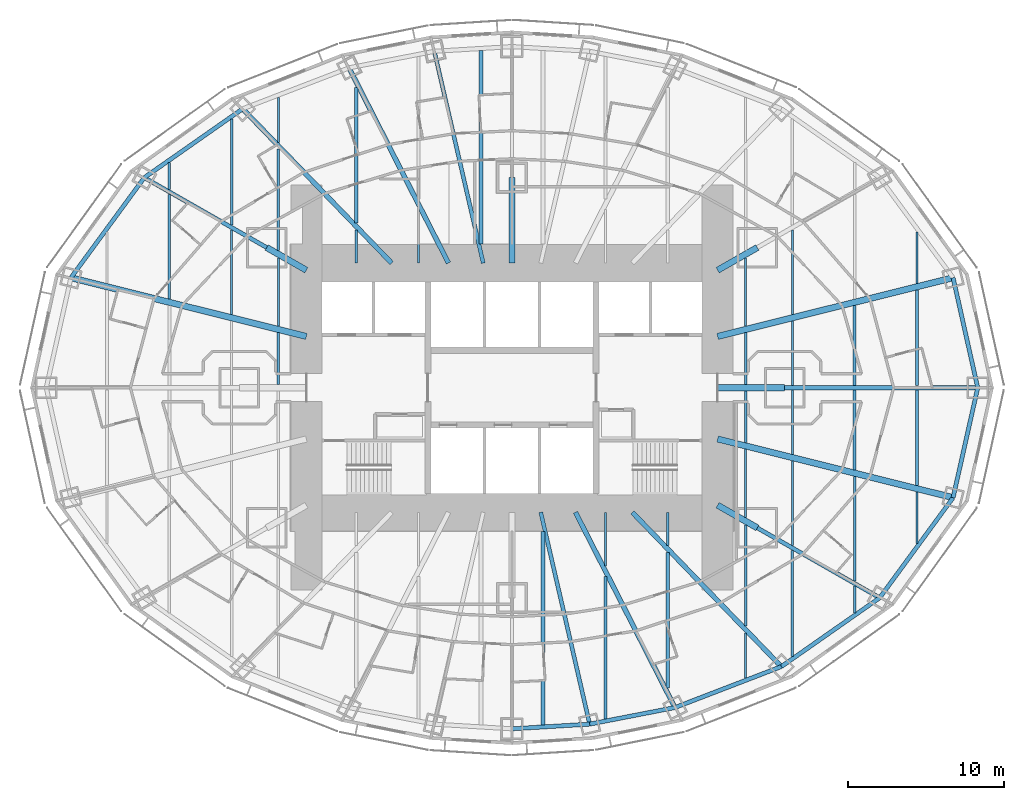
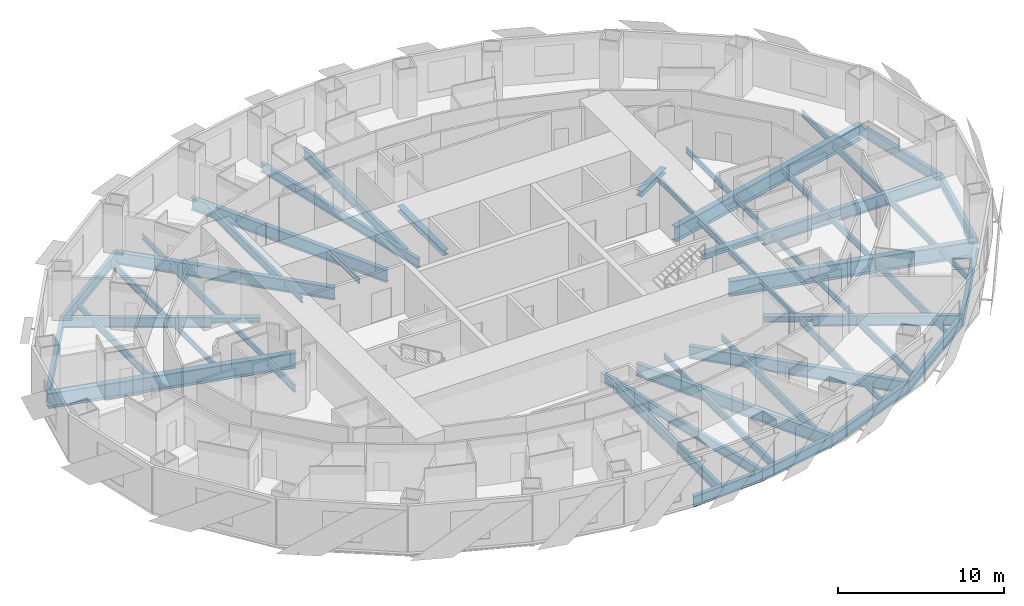
# One storey, part 2 of 15: 62 beams.
"""IFC4 building model written with IfcOpenShell, lengths in metres."""

from ifc_helpers import new_model, si_unit, direction, frame, origin, origin_2d, place, context, subcontext, project, spatial, i_section, extrude, material, material_profile, profile_set, type_object, element, save


model = new_model("IFC4")

# Units and contexts
model_context = context("Model", 3, precision=1e-05, world=origin(), true_north=direction((0.0, 1.0)))
body_context = subcontext(model_context, "Body", "Model", "MODEL_VIEW")
ifc_project = project(units=[si_unit("LENGTHUNIT", "METRE"), si_unit("AREAUNIT", "SQUARE_METRE"), si_unit("VOLUMEUNIT", "CUBIC_METRE"), si_unit("PLANEANGLEUNIT", "RADIAN"), si_unit("MASSUNIT", "GRAM", prefix="KILO")], contexts=[model_context])

# Site, building, storey
site_placement = place(None, origin())
site = spatial("IfcSite", under=ifc_project, at=site_placement, CompositionType="ELEMENT")
building_placement = place(site_placement, origin())
building = spatial("IfcBuilding", under=site, at=building_placement, Name="Lantaw Convention Tower", CompositionType="ELEMENT")
storey_placement = place(building_placement, frame((0.0, 0.0, 65.800048828125)))
storey = spatial("IfcBuildingStorey", under=building, at=storey_placement, Name="L14", CompositionType="ELEMENT", Elevation=65.800048828125)

# Beams
ifc_material = material(Name="Steel ASTM A992", Category="steel")
ifc_material_profile_1 = material_profile(ifc_material, i_section(OverallWidth=0.2666015625, OverallDepth=0.76953125, WebThickness=0.015625, FlangeThickness=0.025390625, FilletRadius=0.0126953125, at=origin_2d()), Name="W30X132")
ifc_profile_set_1 = profile_set([ifc_material_profile_1], Name="Steel ASTM A992")
beam_type_1 = type_object("IfcBeamType", Name="Beam E W30X132", PredefinedType="SPANDREL", material=ifc_profile_set_1)
beam_1_placement = place(storey_placement, frame((29.89990234375, 0.0, -0.534912109375), z_axis=(-0.218652184873, 0.975802860239, 0.0), x_axis=(-0.975802860239, -0.218652184873, 0.0)))
element("IfcBeam", 1, at=beam_1_placement, inside=storey, type_object=beam_type_1, Name="Edge beam 1", PredefinedType="SPANDREL", context=body_context, shape_type="SweptSolid", body=[
    extrude(i_section(OverallWidth=0.2666015625, OverallDepth=0.76953125, WebThickness=0.015625, FlangeThickness=0.025390625, FilletRadius=0.0126953125, at=origin_2d()), origin(), (0.0, 0.0, 1.0), 7.2353515625),
])
beam_2_placement = place(storey_placement, frame((-17.290771484375, 17.9052734375, -0.534912109375), z_axis=(-0.81942686407, -0.57318375277, 0.0), x_axis=(0.57318375277, -0.81942686407, 0.0)))
element("IfcBeam", 2, at=beam_2_placement, inside=storey, type_object=beam_type_1, Name="Edge beam 10", PredefinedType="SPANDREL", context=body_context, shape_type="SweptSolid", body=[
    extrude(i_section(OverallWidth=0.2666015625, OverallDepth=0.76953125, WebThickness=0.015625, FlangeThickness=0.025390625, FilletRadius=0.0126953125, at=origin_2d()), origin(), (0.0, 0.0, 1.0), 7.70556640625),
])
beam_3_placement = place(storey_placement, frame((-23.60498046875, 13.488525390625, -0.534912109375), z_axis=(-0.591270709086, -0.806473154281, 0.0), x_axis=(0.806473154281, -0.591270709086, 0.0)))
element("IfcBeam", 3, at=beam_3_placement, inside=storey, type_object=beam_type_1, Name="Edge beam 11", PredefinedType="SPANDREL", context=body_context, shape_type="SweptSolid", body=[
    extrude(i_section(OverallWidth=0.2666015625, OverallDepth=0.76953125, WebThickness=0.015625, FlangeThickness=0.025390625, FilletRadius=0.0126953125, at=origin_2d()), origin(), (0.0, 0.0, 1.0), 7.970703125),
])
beam_4_placement = place(storey_placement, frame((0.0, -21.89990234375, -0.534912109375), z_axis=(0.998173858406, 0.060406526096, 0.0), x_axis=(-0.060406526096, 0.998173858406, 0.0)))
element("IfcBeam", 4, at=beam_4_placement, inside=storey, type_object=beam_type_1, Name="Edge beam 19", PredefinedType="SPANDREL", context=body_context, shape_type="SweptSolid", body=[
    extrude(i_section(OverallWidth=0.2666015625, OverallDepth=0.76953125, WebThickness=0.015625, FlangeThickness=0.025390625, FilletRadius=0.0126953125, at=origin_2d()), origin(), (0.0, 0.0, 1.0), 4.995361328125),
])
beam_5_placement = place(storey_placement, frame((4.986328125, -21.59814453125, -0.534912109375), z_axis=(0.981636565323, 0.190760723474, 0.0), x_axis=(-0.190760723474, 0.981636565323, 0.0)))
element("IfcBeam", 5, at=beam_5_placement, inside=storey, type_object=beam_type_1, Name="Edge beam 20", PredefinedType="SPANDREL", context=body_context, shape_type="SweptSolid", body=[
    extrude(i_section(OverallWidth=0.2666015625, OverallDepth=0.76953125, WebThickness=0.015625, FlangeThickness=0.025390625, FilletRadius=0.0126953125, at=origin_2d()), origin(), (0.0, 0.0, 1.0), 5.578857421875),
])
beam_6_placement = place(storey_placement, frame((10.462646484375, -20.533935546875, -0.534912109375), z_axis=(0.933232900641, 0.359271976588, 0.0), x_axis=(-0.359271976588, 0.933232900641, 0.0)))
element("IfcBeam", 6, at=beam_6_placement, inside=storey, type_object=beam_type_1, Name="Edge beam 21", PredefinedType="SPANDREL", context=body_context, shape_type="SweptSolid", body=[
    extrude(i_section(OverallWidth=0.2666015625, OverallDepth=0.76953125, WebThickness=0.015625, FlangeThickness=0.025390625, FilletRadius=0.0126953125, at=origin_2d()), origin(), (0.0, 0.0, 1.0), 7.316650390625),
])
beam_7_placement = place(storey_placement, frame((17.290771484375, -17.9052734375, -0.534912109375), z_axis=(0.81942686407, 0.57318375277, 0.0), x_axis=(-0.57318375277, 0.81942686407, 0.0)))
element("IfcBeam", 7, at=beam_7_placement, inside=storey, type_object=beam_type_1, Name="Edge beam 22", PredefinedType="SPANDREL", context=body_context, shape_type="SweptSolid", body=[
    extrude(i_section(OverallWidth=0.2666015625, OverallDepth=0.76953125, WebThickness=0.015625, FlangeThickness=0.025390625, FilletRadius=0.0126953125, at=origin_2d()), origin(), (0.0, 0.0, 1.0), 7.70556640625),
])
beam_8_placement = place(storey_placement, frame((23.60498046875, -13.488525390625, -0.534912109375), z_axis=(0.591270709086, 0.806473154281, 0.0), x_axis=(-0.806473154281, 0.591270709086, 0.0)))
element("IfcBeam", 8, at=beam_8_placement, inside=storey, type_object=beam_type_1, Name="Edge beam 23", PredefinedType="SPANDREL", context=body_context, shape_type="SweptSolid", body=[
    extrude(i_section(OverallWidth=0.2666015625, OverallDepth=0.76953125, WebThickness=0.015625, FlangeThickness=0.025390625, FilletRadius=0.0126953125, at=origin_2d()), origin(), (0.0, 0.0, 1.0), 7.970703125),
])
beam_9_placement = place(storey_placement, frame((28.31787109375, -7.060302734375, -0.534912109375), z_axis=(0.218652184873, 0.975802860239, 0.0), x_axis=(-0.975802860239, 0.218652184873, 0.0)))
element("IfcBeam", 9, at=beam_9_placement, inside=storey, type_object=beam_type_1, Name="Edge beam 24", PredefinedType="SPANDREL", context=body_context, shape_type="SweptSolid", body=[
    extrude(i_section(OverallWidth=0.2666015625, OverallDepth=0.76953125, WebThickness=0.015625, FlangeThickness=0.025390625, FilletRadius=0.0126953125, at=origin_2d()), origin(), (0.0, 0.0, 1.0), 7.2353515625),
])
ifc_material_profile_2 = material_profile(ifc_material, i_section(OverallWidth=0.25390625, OverallDepth=0.683349609375, WebThickness=0.012451171875, FlangeThickness=0.01904296875, FilletRadius=0.01513671875, at=origin_2d()), Name="W27X94")
ifc_profile_set_2 = profile_set([ifc_material_profile_2], Name="Steel ASTM A992")
beam_type_2 = type_object("IfcBeamType", Name="Beam G W27X94", PredefinedType="BEAM", material=ifc_profile_set_2)
for number, where, z_axis, x_axis, name in (
    (10, (-1.846923828125, 8.0, -0.49169921875), (-0.224952773175, 0.97436966796, 0.0), (-0.97436966796, -0.224952773175, 0.0), "Floor girder on ray 8"),
    (11, (1.846923828125, -8.0, -0.49169921875), (0.224952773175, -0.97436966796, 0.0), (0.97436966796, 0.224952773175, 0.0), "Floor girder on ray 20"),
):
    element("IfcBeam", number, at=place(storey_placement, frame(where, z_axis=z_axis, x_axis=x_axis)), inside=storey, type_object=beam_type_2, Name=name, PredefinedType="BEAM", context=body_context, shape_type="SweptSolid", body=[
        extrude(i_section(OverallWidth=0.25390625, OverallDepth=0.683349609375, WebThickness=0.012451171875, FlangeThickness=0.01904296875, FilletRadius=0.01513671875, at=origin_2d()), origin(), (0.0, 0.0, 1.0), 13.955810546875),
    ])
ifc_material_profile_3 = material_profile(ifc_material, i_section(OverallWidth=0.2666015625, OverallDepth=0.7568359375, WebThickness=0.013916015625, FlangeThickness=0.019287109375, FilletRadius=0.0126953125, at=origin_2d()), Name="W30X108")
ifc_profile_set_3 = profile_set([ifc_material_profile_3], Name="Steel ASTM A992")
beam_type_3 = type_object("IfcBeamType", Name="Beam G W30X108", PredefinedType="BEAM", material=ifc_profile_set_3)
for number, where, z_axis, x_axis, name in (
    (12, (-15.75, 9.0, -0.528564453125), (-0.868244802791, 0.496136032179, 0.0), (-0.496136032179, -0.868244802791, 0.0), "Floor girder on ray 11"),
    (13, (15.75, -9.0, -0.528564453125), (0.868244802791, -0.496136032179, 0.0), (0.496136032179, 0.868244802791, 0.0), "Floor girder on ray 23"),
):
    element("IfcBeam", number, at=place(storey_placement, frame(where, z_axis=z_axis, x_axis=x_axis)), inside=storey, type_object=beam_type_3, Name=name, PredefinedType="BEAM", context=body_context, shape_type="SweptSolid", body=[
        extrude(i_section(OverallWidth=0.2666015625, OverallDepth=0.7568359375, WebThickness=0.013916015625, FlangeThickness=0.019287109375, FilletRadius=0.0126953125, at=origin_2d()), origin(), (0.0, 0.0, 1.0), 9.046875),
    ])
ifc_material_profile_4 = material_profile(ifc_material, i_section(OverallWidth=0.307373046875, OverallDepth=0.922119140625, WebThickness=0.018310546875, FlangeThickness=0.030029296875, FilletRadius=0.0126953125, at=origin_2d()), Name="W36X182")
ifc_profile_set_4 = profile_set([ifc_material_profile_4], Name="Steel ASTM A992")
beam_type_4 = type_object("IfcBeamType", Name="Beam G W36X182", PredefinedType="BEAM", material=ifc_profile_set_4)
beam_10_placement = place(storey_placement, frame((17.5, 0.0, -0.611083984375), z_axis=(1.0, 0.0, 0.0), x_axis=(0.0, 1.0, 0.0)))
element("IfcBeam", 14, at=beam_10_placement, inside=storey, type_object=beam_type_4, Name="Floor girder on ray 1", PredefinedType="BEAM", context=body_context, shape_type="SweptSolid", body=[
    extrude(i_section(OverallWidth=0.307373046875, OverallDepth=0.922119140625, WebThickness=0.018310546875, FlangeThickness=0.030029296875, FilletRadius=0.0126953125, at=origin_2d()), origin(), (0.0, 0.0, 1.0), 12.39990234375),
])
beam_11_placement = place(storey_placement, frame((-4.076171875, 8.0, -0.611083984375), z_axis=(-0.453997016122, 0.891003203896, 0.0), x_axis=(-0.891003203896, -0.453997016122, 0.0)))
element("IfcBeam", 15, at=beam_11_placement, inside=storey, type_object=beam_type_4, Name="Floor girder on ray 9", PredefinedType="BEAM", context=body_context, shape_type="SweptSolid", body=[
    extrude(i_section(OverallWidth=0.307373046875, OverallDepth=0.922119140625, WebThickness=0.018310546875, FlangeThickness=0.030029296875, FilletRadius=0.0126953125, at=origin_2d()), origin(), (0.0, 0.0, 1.0), 14.067138671875),
])
beam_12_placement = place(storey_placement, frame((-7.7255859375, 8.0, -0.611083984375), z_axis=(-0.694649884291, 0.719347995239, 0.0), x_axis=(-0.719347995239, -0.694649884291, 0.0)))
element("IfcBeam", 16, at=beam_12_placement, inside=storey, type_object=beam_type_4, Name="Floor girder on ray 10", PredefinedType="BEAM", context=body_context, shape_type="SweptSolid", body=[
    extrude(i_section(OverallWidth=0.307373046875, OverallDepth=0.922119140625, WebThickness=0.018310546875, FlangeThickness=0.030029296875, FilletRadius=0.0126953125, at=origin_2d()), origin(), (0.0, 0.0, 1.0), 13.769775390625),
])
beam_13_placement = place(storey_placement, frame((4.076171875, -8.0, -0.611083984375), z_axis=(0.453997016122, -0.891003203896, 0.0), x_axis=(0.891003203896, 0.453997016122, 0.0)))
element("IfcBeam", 17, at=beam_13_placement, inside=storey, type_object=beam_type_4, Name="Floor girder on ray 21", PredefinedType="BEAM", context=body_context, shape_type="SweptSolid", body=[
    extrude(i_section(OverallWidth=0.307373046875, OverallDepth=0.922119140625, WebThickness=0.018310546875, FlangeThickness=0.030029296875, FilletRadius=0.0126953125, at=origin_2d()), origin(), (0.0, 0.0, 1.0), 14.067138671875),
])
beam_14_placement = place(storey_placement, frame((7.7255859375, -8.0, -0.611083984375), z_axis=(0.694649884291, -0.719347995239, 0.0), x_axis=(0.719347995239, 0.694649884291, 0.0)))
element("IfcBeam", 18, at=beam_14_placement, inside=storey, type_object=beam_type_4, Name="Floor girder on ray 22", PredefinedType="BEAM", context=body_context, shape_type="SweptSolid", body=[
    extrude(i_section(OverallWidth=0.307373046875, OverallDepth=0.922119140625, WebThickness=0.018310546875, FlangeThickness=0.030029296875, FilletRadius=0.0126953125, at=origin_2d()), origin(), (0.0, 0.0, 1.0), 13.769775390625),
])
ifc_material_profile_5 = material_profile(ifc_material, i_section(OverallWidth=0.40380859375, OverallDepth=1.11767578125, WebThickness=0.026123046875, FlangeThickness=0.044921875, FilletRadius=0.02001953125, at=origin_2d()), Name="W44X335")
ifc_profile_set_5 = profile_set([ifc_material_profile_5], Name="Steel ASTM A992")
beam_type_5 = type_object("IfcBeamType", Name="Beam G W44X335", PredefinedType="BEAM", material=ifc_profile_set_5)
for number, where, z_axis, x_axis, name in (
    (19, (13.199951171875, 3.291015625, -0.708740234375), (0.970296233567, 0.241919860957, 0.0), (-0.241919860957, 0.970296233567, 0.0), "Floor girder on ray 2"),
    (20, (-13.199951171875, 3.291015625, -0.708740234375), (-0.970296233567, 0.241919860957, 0.0), (-0.241919860957, -0.970296233567, 0.0), "Floor girder on ray 12"),
    (21, (13.199951171875, -3.291015625, -0.708740234375), (0.970296233567, -0.241919860957, 0.0), (0.241919860957, 0.970296233567, 0.0), "Floor girder on ray 24"),
):
    element("IfcBeam", number, at=place(storey_placement, frame(where, z_axis=z_axis, x_axis=x_axis)), inside=storey, type_object=beam_type_5, Name=name, PredefinedType="BEAM", context=body_context, shape_type="SweptSolid", body=[
        extrude(i_section(OverallWidth=0.40380859375, OverallDepth=1.11767578125, WebThickness=0.026123046875, FlangeThickness=0.044921875, FilletRadius=0.02001953125, at=origin_2d()), origin(), (0.0, 0.0, 1.0), 15.580810546875),
    ])
ifc_material_profile_6 = material_profile(ifc_material, i_section(OverallWidth=0.40380859375, OverallDepth=0.406494140625, WebThickness=0.027099609375, FlangeThickness=0.043701171875, FilletRadius=0.01513671875, at=origin_2d()), Name="W14X233")
ifc_profile_set_6 = profile_set([ifc_material_profile_6], Name="Steel ASTM A992")
beam_type_6 = type_object("IfcBeamType", Name="Beam GM W14X233", PredefinedType="BEAM", material=ifc_profile_set_6)
beam_15_placement = place(storey_placement, frame((13.199951171875, 0.0, -0.353271484375), z_axis=(1.0, 0.0, 0.0), x_axis=(0.0, 1.0, 0.0)))
element("IfcBeam", 22, at=beam_15_placement, inside=storey, type_object=beam_type_6, Name="Core link beam on ray 1", PredefinedType="BEAM", context=body_context, shape_type="SweptSolid", body=[
    extrude(i_section(OverallWidth=0.40380859375, OverallDepth=0.406494140625, WebThickness=0.027099609375, FlangeThickness=0.043701171875, FilletRadius=0.01513671875, at=origin_2d()), origin(), (0.0, 0.0, 1.0), 4.300048828125),
])
beam_16_placement = place(storey_placement, frame((13.199951171875, 7.54296875, -0.353271484375), z_axis=(0.868263603466, 0.496103129295, 0.0), x_axis=(-0.496103129295, 0.868263603466, 0.0)))
element("IfcBeam", 23, at=beam_16_placement, inside=storey, type_object=beam_type_6, Name="Core link beam on ray 3", PredefinedType="BEAM", context=body_context, shape_type="SweptSolid", body=[
    extrude(i_section(OverallWidth=0.40380859375, OverallDepth=0.406494140625, WebThickness=0.027099609375, FlangeThickness=0.043701171875, FilletRadius=0.01513671875, at=origin_2d()), origin(), (0.0, 0.0, 1.0), 2.93701171875),
])
beam_17_placement = place(storey_placement, frame((0.0, 8.0, -0.353271484375), z_axis=(0.0, 1.0, 0.0), x_axis=(-1.0, 0.0, 0.0)))
element("IfcBeam", 24, at=beam_17_placement, inside=storey, type_object=beam_type_6, Name="Core link beam on ray 7", PredefinedType="BEAM", context=body_context, shape_type="SweptSolid", body=[
    extrude(i_section(OverallWidth=0.40380859375, OverallDepth=0.406494140625, WebThickness=0.027099609375, FlangeThickness=0.043701171875, FilletRadius=0.01513671875, at=origin_2d()), origin(), (0.0, 0.0, 1.0), 5.5),
])
for number, where, z_axis, x_axis, name in (
    (25, (-13.199951171875, 7.54296875, -0.353271484375), (-0.868263603466, 0.496103129295, 0.0), (-0.496103129295, -0.868263603466, 0.0), "Core link beam on ray 11"),
    (26, (13.199951171875, -7.54296875, -0.353271484375), (0.868263603466, -0.496103129295, 0.0), (0.496103129295, 0.868263603466, 0.0), "Core link beam on ray 23"),
):
    element("IfcBeam", number, at=place(storey_placement, frame(where, z_axis=z_axis, x_axis=x_axis)), inside=storey, type_object=beam_type_6, Name=name, PredefinedType="BEAM", context=body_context, shape_type="SweptSolid", body=[
        extrude(i_section(OverallWidth=0.40380859375, OverallDepth=0.406494140625, WebThickness=0.027099609375, FlangeThickness=0.043701171875, FilletRadius=0.01513671875, at=origin_2d()), origin(), (0.0, 0.0, 1.0), 2.93701171875),
    ])
ifc_material_profile_7 = material_profile(ifc_material, i_section(OverallWidth=0.140380859375, OverallDepth=0.40380859375, WebThickness=0.007080078125, FlangeThickness=0.01123046875, FilletRadius=0.01025390625, at=origin_2d()), Name="W16X31")
ifc_profile_set_7 = profile_set([ifc_material_profile_7], Name="Steel ASTM A992")
beam_type_7 = type_object("IfcBeamType", Name="Beam J W16X31", PredefinedType="JOIST", material=ifc_profile_set_7)
beam_18_placement = place(storey_placement, frame((-22.0, 12.72509765625, -0.35205078125), z_axis=(0.0, 1.0, 0.0), x_axis=(-1.0, 0.0, 0.0)))
element("IfcBeam", 27, at=beam_18_placement, inside=storey, type_object=beam_type_7, Name="Floor joist", PredefinedType="JOIST", context=body_context, shape_type="SweptSolid", body=[
    extrude(i_section(OverallWidth=0.140380859375, OverallDepth=0.40380859375, WebThickness=0.007080078125, FlangeThickness=0.01123046875, FilletRadius=0.01025390625, at=origin_2d()), origin(), (0.0, 0.0, 1.0), 1.723388671875),
])
beam_19_placement = place(storey_placement, frame((-18.0, 4.696044921875, -0.35205078125), z_axis=(0.0, 1.0, 0.0), x_axis=(-1.0, 0.0, 0.0)))
element("IfcBeam", 28, at=beam_19_placement, inside=storey, type_object=beam_type_7, Name="Floor joist", PredefinedType="JOIST", context=body_context, shape_type="SweptSolid", body=[
    extrude(i_section(OverallWidth=0.140380859375, OverallDepth=0.40380859375, WebThickness=0.007080078125, FlangeThickness=0.01123046875, FilletRadius=0.01025390625, at=origin_2d()), origin(), (0.0, 0.0, 1.0), 5.43603515625),
])
beam_20_placement = place(storey_placement, frame((-15.0, 3.947998046875, -0.35205078125), z_axis=(0.0, 1.0, 0.0), x_axis=(-1.0, 0.0, 0.0)))
element("IfcBeam", 29, at=beam_20_placement, inside=storey, type_object=beam_type_7, Name="Floor joist", PredefinedType="JOIST", context=body_context, shape_type="SweptSolid", body=[
    extrude(i_section(OverallWidth=0.140380859375, OverallDepth=0.40380859375, WebThickness=0.007080078125, FlangeThickness=0.01123046875, FilletRadius=0.01025390625, at=origin_2d()), origin(), (0.0, 0.0, 1.0), 4.390869140625),
])
beam_21_placement = place(storey_placement, frame((-15.0, 15.754150390625, -0.35205078125), z_axis=(0.0, 1.0, 0.0), x_axis=(-1.0, 0.0, 0.0)))
element("IfcBeam", 30, at=beam_21_placement, inside=storey, type_object=beam_type_7, Name="Floor joist", PredefinedType="JOIST", context=body_context, shape_type="SweptSolid", body=[
    extrude(i_section(OverallWidth=0.140380859375, OverallDepth=0.40380859375, WebThickness=0.007080078125, FlangeThickness=0.01123046875, FilletRadius=0.01025390625, at=origin_2d()), origin(), (0.0, 0.0, 1.0), 2.89013671875),
])
beam_22_placement = place(storey_placement, frame((-10.0, 8.0, -0.35205078125), z_axis=(0.0, 1.0, 0.0), x_axis=(-1.0, 0.0, 0.0)))
element("IfcBeam", 31, at=beam_22_placement, inside=storey, type_object=beam_type_7, Name="Floor joist", PredefinedType="JOIST", context=body_context, shape_type="SweptSolid", body=[
    extrude(i_section(OverallWidth=0.140380859375, OverallDepth=0.40380859375, WebThickness=0.007080078125, FlangeThickness=0.01123046875, FilletRadius=0.01025390625, at=origin_2d()), origin(), (0.0, 0.0, 1.0), 2.134033203125),
])
for number, where, z_axis, x_axis, name in (
    (32, (-6.0, 8.0, -0.35205078125), (0.0, 1.0, 0.0), (-1.0, 0.0, 0.0), "Floor joist"),
    (33, (6.0, -11.437255859375, -0.35205078125), (0.0, 1.0, 0.0), (-1.0, 0.0, 0.0), "Floor joist"),
):
    element("IfcBeam", number, at=place(storey_placement, frame(where, z_axis=z_axis, x_axis=x_axis)), inside=storey, type_object=beam_type_7, Name=name, PredefinedType="JOIST", context=body_context, shape_type="SweptSolid", body=[
        extrude(i_section(OverallWidth=0.140380859375, OverallDepth=0.40380859375, WebThickness=0.007080078125, FlangeThickness=0.01123046875, FilletRadius=0.01025390625, at=origin_2d()), origin(), (0.0, 0.0, 1.0), 3.437255859375),
    ])
beam_23_placement = place(storey_placement, frame((10.0, -10.134033203125, -0.35205078125), z_axis=(0.0, 1.0, 0.0), x_axis=(-1.0, 0.0, 0.0)))
element("IfcBeam", 34, at=beam_23_placement, inside=storey, type_object=beam_type_7, Name="Floor joist", PredefinedType="JOIST", context=body_context, shape_type="SweptSolid", body=[
    extrude(i_section(OverallWidth=0.140380859375, OverallDepth=0.40380859375, WebThickness=0.007080078125, FlangeThickness=0.01123046875, FilletRadius=0.01025390625, at=origin_2d()), origin(), (0.0, 0.0, 1.0), 2.134033203125),
])
beam_24_placement = place(storey_placement, frame((15.0, -18.644287109375, -0.35205078125), z_axis=(0.0, 1.0, 0.0), x_axis=(-1.0, 0.0, 0.0)))
element("IfcBeam", 35, at=beam_24_placement, inside=storey, type_object=beam_type_7, Name="Floor joist", PredefinedType="JOIST", context=body_context, shape_type="SweptSolid", body=[
    extrude(i_section(OverallWidth=0.140380859375, OverallDepth=0.40380859375, WebThickness=0.007080078125, FlangeThickness=0.01123046875, FilletRadius=0.01025390625, at=origin_2d()), origin(), (0.0, 0.0, 1.0), 2.89013671875),
])
for number, where, z_axis, x_axis, name in (
    (36, (15.0, -8.3388671875, -0.35205078125), (0.0, 1.0, 0.0), (-1.0, 0.0, 0.0), "Floor joist"),
    (37, (15.0, 3.947998046875, -0.35205078125), (0.0, 1.0, 0.0), (-1.0, 0.0, 0.0), "Floor joist"),
):
    element("IfcBeam", number, at=place(storey_placement, frame(where, z_axis=z_axis, x_axis=x_axis)), inside=storey, type_object=beam_type_7, Name=name, PredefinedType="JOIST", context=body_context, shape_type="SweptSolid", body=[
        extrude(i_section(OverallWidth=0.140380859375, OverallDepth=0.40380859375, WebThickness=0.007080078125, FlangeThickness=0.01123046875, FilletRadius=0.01025390625, at=origin_2d()), origin(), (0.0, 0.0, 1.0), 4.390869140625),
    ])
beam_25_placement = place(storey_placement, frame((18.0, -10.132080078125, -0.35205078125), z_axis=(0.0, 1.0, 0.0), x_axis=(-1.0, 0.0, 0.0)))
element("IfcBeam", 38, at=beam_25_placement, inside=storey, type_object=beam_type_7, Name="Floor joist", PredefinedType="JOIST", context=body_context, shape_type="SweptSolid", body=[
    extrude(i_section(OverallWidth=0.140380859375, OverallDepth=0.40380859375, WebThickness=0.007080078125, FlangeThickness=0.01123046875, FilletRadius=0.01025390625, at=origin_2d()), origin(), (0.0, 0.0, 1.0), 5.43603515625),
])
for number, where, z_axis, x_axis, name in (
    (39, (18.0, -4.27978515625, -0.35205078125), (0.0, 1.0, 0.0), (-1.0, 0.0, 0.0), "Floor joist"),
    (40, (18.0, 0.153564453125, -0.35205078125), (0.0, 1.0, 0.0), (-1.0, 0.0, 0.0), "Floor joist"),
):
    element("IfcBeam", number, at=place(storey_placement, frame(where, z_axis=z_axis, x_axis=x_axis)), inside=storey, type_object=beam_type_7, Name=name, PredefinedType="JOIST", context=body_context, shape_type="SweptSolid", body=[
        extrude(i_section(OverallWidth=0.140380859375, OverallDepth=0.40380859375, WebThickness=0.007080078125, FlangeThickness=0.01123046875, FilletRadius=0.01025390625, at=origin_2d()), origin(), (0.0, 0.0, 1.0), 4.126220703125),
    ])
beam_26_placement = place(storey_placement, frame((18.0, 4.696044921875, -0.35205078125), z_axis=(0.0, 1.0, 0.0), x_axis=(-1.0, 0.0, 0.0)))
element("IfcBeam", 41, at=beam_26_placement, inside=storey, type_object=beam_type_7, Name="Floor joist", PredefinedType="JOIST", context=body_context, shape_type="SweptSolid", body=[
    extrude(i_section(OverallWidth=0.140380859375, OverallDepth=0.40380859375, WebThickness=0.007080078125, FlangeThickness=0.01123046875, FilletRadius=0.01025390625, at=origin_2d()), origin(), (0.0, 0.0, 1.0), 5.43603515625),
])
beam_27_placement = place(storey_placement, frame((22.0, -14.448486328125, -0.35205078125), z_axis=(0.0, 1.0, 0.0), x_axis=(-1.0, 0.0, 0.0)))
element("IfcBeam", 42, at=beam_27_placement, inside=storey, type_object=beam_type_7, Name="Floor joist", PredefinedType="JOIST", context=body_context, shape_type="SweptSolid", body=[
    extrude(i_section(OverallWidth=0.140380859375, OverallDepth=0.40380859375, WebThickness=0.007080078125, FlangeThickness=0.01123046875, FilletRadius=0.01025390625, at=origin_2d()), origin(), (0.0, 0.0, 1.0), 1.723388671875),
])
for number, where, z_axis, x_axis, name in (
    (43, (26.0, -9.996337890625, -0.35205078125), (0.0, 1.0, 0.0), (-1.0, 0.0, 0.0), "Floor joist"),
    (44, (26.0, 6.690673828125, -0.35205078125), (0.0, 1.0, 0.0), (-1.0, 0.0, 0.0), "Floor joist"),
):
    element("IfcBeam", number, at=place(storey_placement, frame(where, z_axis=z_axis, x_axis=x_axis)), inside=storey, type_object=beam_type_7, Name=name, PredefinedType="JOIST", context=body_context, shape_type="SweptSolid", body=[
        extrude(i_section(OverallWidth=0.140380859375, OverallDepth=0.40380859375, WebThickness=0.007080078125, FlangeThickness=0.01123046875, FilletRadius=0.01025390625, at=origin_2d()), origin(), (0.0, 0.0, 1.0), 3.3056640625),
    ])
ifc_material_profile_8 = material_profile(ifc_material, i_section(OverallWidth=0.1904296875, OverallDepth=0.457275390625, WebThickness=0.009033203125, FlangeThickness=0.014404296875, FilletRadius=0.01025390625, at=origin_2d()), Name="W18X50")
ifc_profile_set_8 = profile_set([ifc_material_profile_8], Name="Steel ASTM A992")
beam_type_8 = type_object("IfcBeamType", Name="Beam J W18X50", PredefinedType="JOIST", material=ifc_profile_set_8)
for number, where, z_axis, x_axis, name in (
    (45, (22.0, -5.277099609375, -0.378662109375), (0.0, 1.0, 0.0), (-1.0, 0.0, 0.0), "Floor joist"),
    (46, (22.0, 0.153564453125, -0.378662109375), (0.0, 1.0, 0.0), (-1.0, 0.0, 0.0), "Floor joist"),
):
    element("IfcBeam", number, at=place(storey_placement, frame(where, z_axis=z_axis, x_axis=x_axis)), inside=storey, type_object=beam_type_8, Name=name, PredefinedType="JOIST", context=body_context, shape_type="SweptSolid", body=[
        extrude(i_section(OverallWidth=0.1904296875, OverallDepth=0.457275390625, WebThickness=0.009033203125, FlangeThickness=0.014404296875, FilletRadius=0.01025390625, at=origin_2d()), origin(), (0.0, 0.0, 1.0), 5.12353515625),
    ])
ifc_material_profile_9 = material_profile(ifc_material, i_section(OverallWidth=0.1650390625, OverallDepth=0.52587890625, WebThickness=0.0087890625, FlangeThickness=0.011474609375, FilletRadius=0.0126953125, at=origin_2d()), Name="W21X44")
ifc_profile_set_9 = profile_set([ifc_material_profile_9], Name="Steel ASTM A992")
beam_type_9 = type_object("IfcBeamType", Name="Beam J W21X44", PredefinedType="JOIST", material=ifc_profile_set_9)
beam_28_placement = place(storey_placement, frame((-22.0, 5.693359375, -0.412841796875), z_axis=(0.0, 1.0, 0.0), x_axis=(-1.0, 0.0, 0.0)))
element("IfcBeam", 47, at=beam_28_placement, inside=storey, type_object=beam_type_9, Name="Floor joist", PredefinedType="JOIST", context=body_context, shape_type="SweptSolid", body=[
    extrude(i_section(OverallWidth=0.1650390625, OverallDepth=0.52587890625, WebThickness=0.0087890625, FlangeThickness=0.011474609375, FilletRadius=0.0126953125, at=origin_2d()), origin(), (0.0, 0.0, 1.0), 6.724609375),
])
beam_29_placement = place(storey_placement, frame((-18.0, 10.439208984375, -0.412841796875), z_axis=(0.0, 1.0, 0.0), x_axis=(-1.0, 0.0, 0.0)))
element("IfcBeam", 48, at=beam_29_placement, inside=storey, type_object=beam_type_9, Name="Floor joist", PredefinedType="JOIST", context=body_context, shape_type="SweptSolid", body=[
    extrude(i_section(OverallWidth=0.1650390625, OverallDepth=0.52587890625, WebThickness=0.0087890625, FlangeThickness=0.011474609375, FilletRadius=0.0126953125, at=origin_2d()), origin(), (0.0, 0.0, 1.0), 6.80712890625),
])
for number, where, z_axis, x_axis, name in (
    (49, (-15.0, 8.803955078125, -0.412841796875), (0.0, 1.0, 0.0), (-1.0, 0.0, 0.0), "Floor joist"),
    (50, (15.0, -15.311767578125, -0.412841796875), (0.0, 1.0, 0.0), (-1.0, 0.0, 0.0), "Floor joist"),
):
    element("IfcBeam", number, at=place(storey_placement, frame(where, z_axis=z_axis, x_axis=x_axis)), inside=storey, type_object=beam_type_9, Name=name, PredefinedType="JOIST", context=body_context, shape_type="SweptSolid", body=[
        extrude(i_section(OverallWidth=0.1650390625, OverallDepth=0.52587890625, WebThickness=0.0087890625, FlangeThickness=0.011474609375, FilletRadius=0.0126953125, at=origin_2d()), origin(), (0.0, 0.0, 1.0), 6.5078125),
    ])
beam_30_placement = place(storey_placement, frame((18.0, -17.246337890625, -0.412841796875), z_axis=(0.0, 1.0, 0.0), x_axis=(-1.0, 0.0, 0.0)))
element("IfcBeam", 51, at=beam_30_placement, inside=storey, type_object=beam_type_9, Name="Floor joist", PredefinedType="JOIST", context=body_context, shape_type="SweptSolid", body=[
    extrude(i_section(OverallWidth=0.1650390625, OverallDepth=0.52587890625, WebThickness=0.0087890625, FlangeThickness=0.011474609375, FilletRadius=0.0126953125, at=origin_2d()), origin(), (0.0, 0.0, 1.0), 6.80712890625),
])
beam_31_placement = place(storey_placement, frame((22.0, -12.41796875, -0.412841796875), z_axis=(0.0, 1.0, 0.0), x_axis=(-1.0, 0.0, 0.0)))
element("IfcBeam", 52, at=beam_31_placement, inside=storey, type_object=beam_type_9, Name="Floor joist", PredefinedType="JOIST", context=body_context, shape_type="SweptSolid", body=[
    extrude(i_section(OverallWidth=0.1650390625, OverallDepth=0.52587890625, WebThickness=0.0087890625, FlangeThickness=0.011474609375, FilletRadius=0.0126953125, at=origin_2d()), origin(), (0.0, 0.0, 1.0), 6.724609375),
])
ifc_material_profile_10 = material_profile(ifc_material, i_section(OverallWidth=0.165771484375, OverallDepth=0.5283203125, WebThickness=0.009765625, FlangeThickness=0.013671875, FilletRadius=0.012939453125, at=origin_2d()), Name="W21X50")
ifc_profile_set_10 = profile_set([ifc_material_profile_10], Name="Steel ASTM A992")
beam_type_10 = type_object("IfcBeamType", Name="Beam J W21X50", PredefinedType="JOIST", material=ifc_profile_set_10)
for number, where, z_axis, x_axis, name in (
    (53, (-15.0, 0.201904296875, -0.414306640625), (0.0, 1.0, 0.0), (-1.0, 0.0, 0.0), "Floor joist"),
    (54, (15.0, -3.53173828125, -0.414306640625), (0.0, 1.0, 0.0), (-1.0, 0.0, 0.0), "Floor joist"),
    (55, (15.0, 0.201904296875, -0.414306640625), (0.0, 1.0, 0.0), (-1.0, 0.0, 0.0), "Floor joist"),
):
    element("IfcBeam", number, at=place(storey_placement, frame(where, z_axis=z_axis, x_axis=x_axis)), inside=storey, type_object=beam_type_10, Name=name, PredefinedType="JOIST", context=body_context, shape_type="SweptSolid", body=[
        extrude(i_section(OverallWidth=0.165771484375, OverallDepth=0.5283203125, WebThickness=0.009765625, FlangeThickness=0.013671875, FilletRadius=0.012939453125, at=origin_2d()), origin(), (0.0, 0.0, 1.0), 3.329833984375),
    ])
for number, where, z_axis, x_axis, name in (
    (56, (26.0, -6.2744140625, -0.414306640625), (0.0, 1.0, 0.0), (-1.0, 0.0, 0.0), "Floor joist"),
    (57, (26.0, 0.153564453125, -0.414306640625), (0.0, 1.0, 0.0), (-1.0, 0.0, 0.0), "Floor joist"),
):
    element("IfcBeam", number, at=place(storey_placement, frame(where, z_axis=z_axis, x_axis=x_axis)), inside=storey, type_object=beam_type_10, Name=name, PredefinedType="JOIST", context=body_context, shape_type="SweptSolid", body=[
        extrude(i_section(OverallWidth=0.165771484375, OverallDepth=0.5283203125, WebThickness=0.009765625, FlangeThickness=0.013671875, FilletRadius=0.012939453125, at=origin_2d()), origin(), (0.0, 0.0, 1.0), 6.120849609375),
    ])
ifc_material_profile_11 = material_profile(ifc_material, i_section(OverallWidth=0.2099609375, OverallDepth=0.535888671875, WebThickness=0.010986328125, FlangeThickness=0.017333984375, FilletRadius=0.012939453125, at=origin_2d()), Name="W21X68")
ifc_profile_set_11 = profile_set([ifc_material_profile_11], Name="Steel ASTM A992")
beam_type_11 = type_object("IfcBeamType", Name="Beam J W21X68", PredefinedType="JOIST", material=ifc_profile_set_11)
beam_32_placement = place(storey_placement, frame((6.0, -21.26513671875, -0.41796875), z_axis=(0.0, 1.0, 0.0), x_axis=(-1.0, 0.0, 0.0)))
element("IfcBeam", 58, at=beam_32_placement, inside=storey, type_object=beam_type_11, Name="Floor joist", PredefinedType="JOIST", context=body_context, shape_type="SweptSolid", body=[
    extrude(i_section(OverallWidth=0.2099609375, OverallDepth=0.535888671875, WebThickness=0.010986328125, FlangeThickness=0.017333984375, FilletRadius=0.012939453125, at=origin_2d()), origin(), (0.0, 0.0, 1.0), 9.15087890625),
])
ifc_material_profile_12 = material_profile(ifc_material, i_section(OverallWidth=0.227783203125, OverallDepth=0.60205078125, WebThickness=0.010498046875, FlangeThickness=0.014892578125, FilletRadius=0.012939453125, at=origin_2d()), Name="W24X68")
ifc_profile_set_12 = profile_set([ifc_material_profile_12], Name="Steel ASTM A992")
beam_type_12 = type_object("IfcBeamType", Name="Beam J W24X68", PredefinedType="JOIST", material=ifc_profile_set_12)
for number, where, z_axis, x_axis, name in (
    (59, (-10.0, 10.576416015625, -0.450927734375), (0.0, 1.0, 0.0), (-1.0, 0.0, 0.0), "Floor joist"),
    (60, (10.0, -19.28759765625, -0.450927734375), (0.0, 1.0, 0.0), (-1.0, 0.0, 0.0), "Floor joist"),
):
    element("IfcBeam", number, at=place(storey_placement, frame(where, z_axis=z_axis, x_axis=x_axis)), inside=storey, type_object=beam_type_12, Name=name, PredefinedType="JOIST", context=body_context, shape_type="SweptSolid", body=[
        extrude(i_section(OverallWidth=0.227783203125, OverallDepth=0.60205078125, WebThickness=0.010498046875, FlangeThickness=0.014892578125, FilletRadius=0.012939453125, at=origin_2d()), origin(), (0.0, 0.0, 1.0), 8.711181640625),
    ])
ifc_material_profile_13 = material_profile(ifc_material, i_section(OverallWidth=0.25390625, OverallDepth=0.700927734375, WebThickness=0.015380859375, FlangeThickness=0.02783203125, FilletRadius=0.01513671875, at=origin_2d()), Name="W27X129")
ifc_profile_set_13 = profile_set([ifc_material_profile_13], Name="Steel ASTM A992")
beam_type_13 = type_object("IfcBeamType", Name="Beam J W27X129", PredefinedType="JOIST", material=ifc_profile_set_13)
for number, where, z_axis, x_axis, name in (
    (61, (-2.0, 9.2275390625, -0.50048828125), (0.0, 1.0, 0.0), (-1.0, 0.0, 0.0), "Floor joist"),
    (62, (2.0, -21.645263671875, -0.50048828125), (0.0, 1.0, 0.0), (-1.0, 0.0, 0.0), "Floor joist"),
):
    element("IfcBeam", number, at=place(storey_placement, frame(where, z_axis=z_axis, x_axis=x_axis)), inside=storey, type_object=beam_type_13, Name=name, PredefinedType="JOIST", context=body_context, shape_type="SweptSolid", body=[
        extrude(i_section(OverallWidth=0.25390625, OverallDepth=0.700927734375, WebThickness=0.015380859375, FlangeThickness=0.02783203125, FilletRadius=0.01513671875, at=origin_2d()), origin(), (0.0, 0.0, 1.0), 12.417724609375),
    ])

save(model, "model.ifc")
